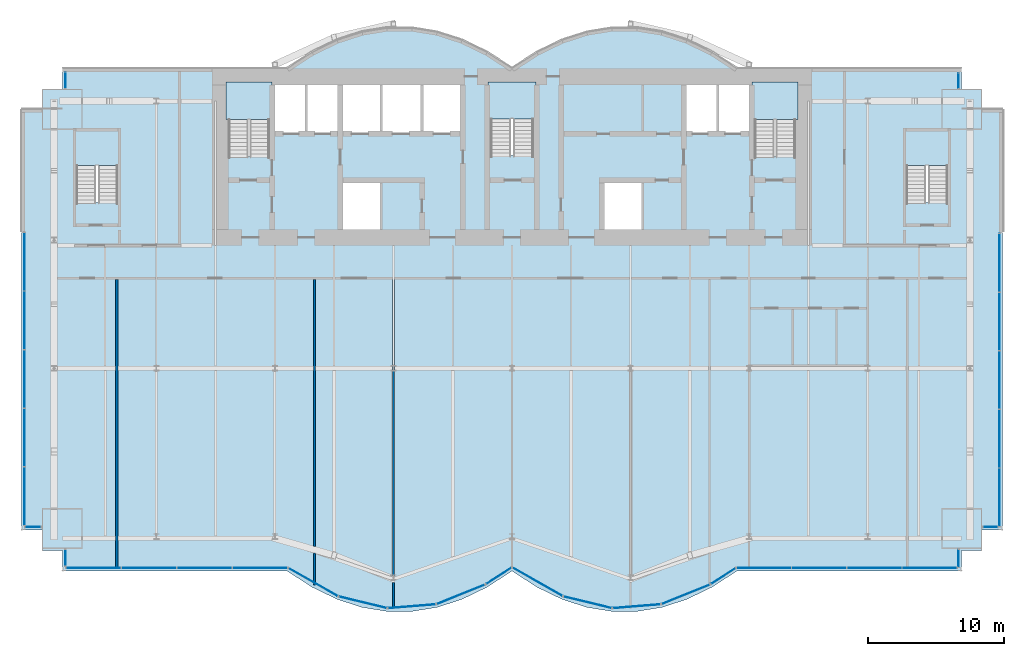
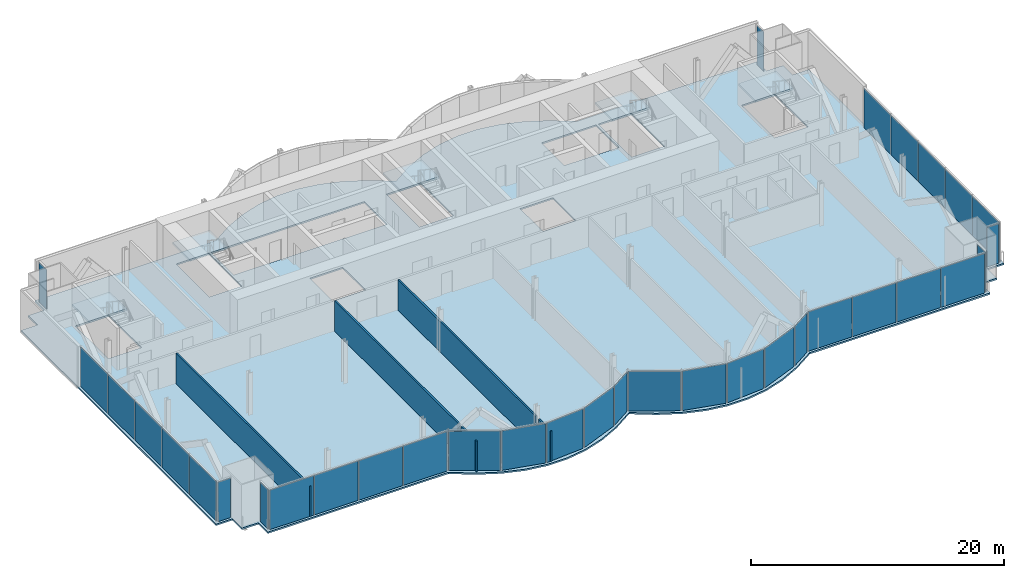
# One storey, part 14 of 21: 34 plates, 6 slabs, 5 walls, 17 elements without a shape of their own.
"""IFC4 building model written with IfcOpenShell, lengths in metres."""

import ifcopenshell
import ifcopenshell.guid

model = None  # the IFC model being written
_history = None  # IfcOwnerHistory: only IFC2X3 demands one
_inside = {}  # id of a spatial element -> (the spatial element, [elements in it])
_under = {}  # id of a project, library or spatial element -> (it, [spatial elements below it])
_declared = {}  # id of a project -> (the project, [libraries it declares])
_typed = {}  # id of a type object -> (the type object, [elements of that type])
_made_of = {}  # id of a material, layer set ... -> (it, [elements and type objects made of it])


def new_model(schema):
    """Start an empty IFC model of exactly this schema.

    Asked for "IFC4X3", IfcOpenShell would pick the latest addendum, in which some entities
    have other attributes; the version numbers below select the first issue.
    IFC2X3 requires an IfcOwnerHistory on every rooted entity: one is made here for all.
    """
    global model, _history
    if schema == "IFC4X3":
        model = ifcopenshell.file(schema_version=(4, 3, 0, 0))
    else:
        model = ifcopenshell.file(schema=schema)
    _inside.clear()
    _under.clear()
    _declared.clear()
    _typed.clear()
    _made_of.clear()
    _history = None
    if model.schema == "IFC2X3":
        org = make("IfcOrganization", Name="unknown")
        user = make(
            "IfcPersonAndOrganization",
            ThePerson=make("IfcPerson", FamilyName="unknown"),
            TheOrganization=org,
        )
        app = make(
            "IfcApplication",
            ApplicationDeveloper=org,
            Version="unknown",
            ApplicationFullName="unknown",
            ApplicationIdentifier="unknown",
        )
        _history = make(
            "IfcOwnerHistory",
            OwningUser=user,
            OwningApplication=app,
            ChangeAction="ADDED",
            CreationDate=0,
        )
    return model


def make(cls, **values):
    """One entity of the class cls with the attributes given. An attribute that is None is left unset."""
    return model.create_entity(
        cls, **{name: value for name, value in values.items() if value is not None}
    )


def rooted(cls, **values):
    """An entity with a GlobalId (a new one), such as an element, a storey or a relation."""
    return make(cls, GlobalId=ifcopenshell.guid.new(), OwnerHistory=_history, **values)


def si_unit(unit_type, name, prefix=None):
    """IfcSIUnit, for example si_unit("LENGTHUNIT", "METRE", prefix="MILLI")."""
    return make("IfcSIUnit", UnitType=unit_type, Prefix=prefix, Name=name)


def assignment(units):
    """IfcUnitAssignment: the units of a project."""
    return None if units is None else make("IfcUnitAssignment", Units=units)


def point(xyz):
    """IfcCartesianPoint."""
    return None if xyz is None else make("IfcCartesianPoint", Coordinates=xyz)


def direction(xyz):
    """IfcDirection."""
    return None if xyz is None else make("IfcDirection", DirectionRatios=xyz)


def frame(location, z_axis=None, x_axis=None):
    """IfcAxis2Placement3D, a coordinate frame: its origin and axes. An axis left out is left unset."""
    return make(
        "IfcAxis2Placement3D",
        Location=point(location),
        Axis=direction(z_axis),
        RefDirection=direction(x_axis),
    )


def frame_2d(location, x_axis=None):
    """IfcAxis2Placement2D, a coordinate frame in the plane: its origin and x axis."""
    return make(
        "IfcAxis2Placement2D", Location=point(location), RefDirection=direction(x_axis)
    )


def origin():
    """The frame at (0, 0, 0) with its axes left unset."""
    return frame((0.0, 0.0, 0.0))


def origin_2d():
    """The frame at (0, 0) in the plane with its x axis left unset."""
    return frame_2d((0.0, 0.0))


def place(relative_to, where):
    """IfcLocalPlacement: puts the frame where relative to a parent placement (None: the world)."""
    return make(
        "IfcLocalPlacement", PlacementRelTo=relative_to, RelativePlacement=where
    )


def context(
    kind, dimensions, precision=None, world=None, true_north=None, identifier=None
):
    """IfcGeometricRepresentationContext, for example the 3D "Model" context."""
    return make(
        "IfcGeometricRepresentationContext",
        ContextIdentifier=identifier,
        ContextType=kind,
        CoordinateSpaceDimension=dimensions,
        Precision=precision,
        WorldCoordinateSystem=world,
        TrueNorth=true_north,
    )


def subcontext(parent, identifier, kind, view, scale=None):
    """IfcGeometricRepresentationSubContext, for example "Body" below "Model"."""
    return make(
        "IfcGeometricRepresentationSubContext",
        ContextIdentifier=identifier,
        ContextType=kind,
        ParentContext=parent,
        TargetScale=scale,
        TargetView=view,
    )


def project(units=None, contexts=None):
    """IfcProject with its units and contexts."""
    return rooted(
        "IfcProject",
        Name="project",
        RepresentationContexts=contexts,
        UnitsInContext=assignment(units),
    )


def spatial(cls, under=None, at=None, **own):
    """A site, building, storey or space (cls), placed at a placement, below another one or the project."""
    s = rooted(cls, ObjectPlacement=at, **own)
    if under is not None:
        _under.setdefault(under.id(), (under, []))[1].append(s)
    return s


def polyline(points):
    """IfcPolyline through the points."""
    return make("IfcPolyline", Points=[point(p) for p in points])


def profile(cls, at=None, kind="AREA", **sizes):
    """A parametric profile (cls). Its sizes go by their IFC names, for example OverallWidth=200.0."""
    return make(cls, ProfileType=kind, Position=at, **sizes)


def rectangle(**sizes):
    """IfcRectangleProfileDef."""
    return profile("IfcRectangleProfileDef", **sizes)


def outline(outer, holes=None, kind="AREA"):
    """IfcArbitraryClosedProfileDef: a profile drawn as a closed curve; with holes, ...WithVoids."""
    if holes is None:
        return make("IfcArbitraryClosedProfileDef", ProfileType=kind, OuterCurve=outer)
    return make(
        "IfcArbitraryProfileDefWithVoids",
        ProfileType=kind,
        OuterCurve=outer,
        InnerCurves=holes,
    )


def extrude(swept, where, along, depth):
    """IfcExtrudedAreaSolid: the profile swept, set in the frame where, extruded along a direction by depth."""
    return make(
        "IfcExtrudedAreaSolid",
        SweptArea=swept,
        Position=where,
        ExtrudedDirection=direction(along),
        Depth=depth,
    )


def shape(context_of_items, identifier, shape_type, items):
    """IfcShapeRepresentation: the items that make up one representation, for example the "Body"."""
    return make(
        "IfcShapeRepresentation",
        ContextOfItems=context_of_items,
        RepresentationIdentifier=identifier,
        RepresentationType=shape_type,
        Items=items,
    )


def material(Name=None, Category=None):
    """IfcMaterial."""
    return make("IfcMaterial", Name=Name, Category=Category)


def layer(
    of_material, thickness, ventilated=None, Name=None, Category=None, Priority=None
):
    """IfcMaterialLayer: one layer of a wall or slab, of a material (None: an air gap)."""
    return make(
        "IfcMaterialLayer",
        Material=of_material,
        LayerThickness=thickness,
        IsVentilated=ventilated,
        Name=Name,
        Category=Category,
        Priority=Priority,
    )


def layer_set(layers, Name=None):
    """IfcMaterialLayerSet."""
    return make("IfcMaterialLayerSet", MaterialLayers=layers, LayerSetName=Name)


def made_of(thing, what):
    """Note that an element or type object is made of a material, layer set ...; save() writes the relation."""
    if what is not None:
        _made_of.setdefault(what.id(), (what, []))[1].append(thing)
    return thing


def type_object(cls, material=None, **own):
    """A type object (cls), such as IfcWallType, which elements share."""
    return made_of(rooted(cls, **own), material)


def element(
    cls,
    number,
    at=None,
    inside=None,
    cuts=None,
    type_object=None,
    material=None,
    context=None,
    identifier="Body",
    shape_type=None,
    held_by="IfcProductDefinitionShape",
    body=None,
    shapes=None,
    **own,
):
    """One element of the class cls, such as IfcWall. Its Tag is "e" and its number.

    at: its placement. inside: the storey or other place that contains it. cuts: it is an
    opening in that element (IfcRelVoidsElement). A single representation is given by context,
    identifier, shape_type and body (its items); several are given by shapes. held_by: the class
    of the entity that holds the representations. save() writes the other relations.
    """
    e = rooted(cls, Tag="e%d" % number, ObjectPlacement=at, **own)
    if body is not None:
        shapes = [shape(context, identifier, shape_type, body)]
    if shapes is not None:
        e.Representation = make(held_by, Representations=shapes)
    if inside is not None:
        _inside.setdefault(inside.id(), (inside, []))[1].append(e)
    if cuts is not None:
        rooted(
            "IfcRelVoidsElement", RelatingBuildingElement=cuts, RelatedOpeningElement=e
        )
    if type_object is not None:
        _typed.setdefault(type_object.id(), (type_object, []))[1].append(e)
    return made_of(e, material)


def aggregate(whole, parts):
    """IfcRelAggregates: a whole, such as a stair, and the parts it consists of."""
    return rooted("IfcRelAggregates", RelatingObject=whole, RelatedObjects=parts)


def save(model, path):
    """Write the relations noted so far, then the file.

    IfcRelAggregates (storeys below a building ...), IfcRelContainedInSpatialStructure (elements
    in a storey), IfcRelDefinesByType, IfcRelAssociatesMaterial and IfcRelDeclares: one each for
    every whole, place, type object, material and project.
    """
    for whole, parts in _under.values():
        aggregate(whole, parts)
    for where, things in _inside.values():
        rooted(
            "IfcRelContainedInSpatialStructure",
            RelatedElements=things,
            RelatingStructure=where,
        )
    for kind, things in _typed.values():
        rooted("IfcRelDefinesByType", RelatedObjects=things, RelatingType=kind)
    for what, things in _made_of.values():
        rooted("IfcRelAssociatesMaterial", RelatedObjects=things, RelatingMaterial=what)
    for by, libraries in _declared.values():
        rooted("IfcRelDeclares", RelatingContext=by, RelatedDefinitions=libraries)
    model.write(path)


model = new_model("IFC4")

# Units and contexts
model_context = context("Model", 3, precision=1e-05, world=origin(), true_north=direction((0.0, 1.0)))
body_context = subcontext(model_context, "Body", "Model", "MODEL_VIEW")
ifc_project = project(units=[si_unit("LENGTHUNIT", "METRE"), si_unit("AREAUNIT", "SQUARE_METRE"), si_unit("VOLUMEUNIT", "CUBIC_METRE"), si_unit("PLANEANGLEUNIT", "RADIAN"), si_unit("MASSUNIT", "GRAM", prefix="KILO")], contexts=[model_context])

# Site, building, storey
site_placement = place(None, origin())
site = spatial("IfcSite", under=ifc_project, at=site_placement, CompositionType="ELEMENT")
building_placement = place(site_placement, origin())
building = spatial("IfcBuilding", under=site, at=building_placement, Name="Bicima Exchange Tower", CompositionType="ELEMENT")
storey_placement = place(building_placement, frame((0.0, 0.0, 126.800048828125)))
storey = spatial("IfcBuildingStorey", under=building, at=storey_placement, Name="L27", CompositionType="ELEMENT", Elevation=126.800048828125)

# Slab
ifc_material_1 = material(Name="Concrete C40/50", Category="concrete")
ifc_layer_1 = layer(ifc_material_1, 0.14990234375)
ifc_layer_set_1 = layer_set([ifc_layer_1], Name="Concrete C40/50")
slab_type_1 = type_object("IfcSlabType", Name="Composite floor slab 150", PredefinedType="FLOOR", material=ifc_layer_set_1)
slab_1_placement = place(storey_placement, frame((0.0, 0.0, -0.150146484375)))
element("IfcSlab", 1, at=slab_1_placement, inside=storey, type_object=slab_type_1, Name="Floor slab", PredefinedType="FLOOR", context=body_context, shape_type="SweptSolid", body=[
    extrude(outline(polyline([(-36.0, -33.8759765625), (-36.0, -3.0), (-34.5, -3.0), (-34.5, -1.5), (-33.0, -1.5), (-33.0, 0.0), (-16.5, 0.0), (-14.666748046875, 1.185302734375), (-12.833251953125, 2.07421875), (-11.0, 2.666748046875), (-9.166748046875, 2.962890625), (-7.333251953125, 2.962890625), (-5.5, 2.666748046875), (-3.666748046875, 2.07421875), (-1.833251953125, 1.185302734375), (0.0, 0.0), (1.833251953125, 1.185302734375), (3.666748046875, 2.07421875), (5.5, 2.666748046875), (7.333251953125, 2.962890625), (9.166748046875, 2.962890625), (11.0, 2.666748046875), (12.833251953125, 2.07421875), (14.666748046875, 1.185302734375), (16.5, 0.0), (33.0, 0.0), (33.0, -1.5), (34.5, -1.5), (34.5, -3.0), (36.0, -3.0), (36.0, -33.8759765625), (34.5, -33.8759765625), (34.5, -35.3759765625), (33.0, -35.3759765625), (33.0, -36.8759765625), (16.5, -36.8759765625), (14.666748046875, -38.061279296875), (12.833251953125, -38.9501953125), (11.0, -39.542724609375), (9.166748046875, -39.839111328125), (7.333251953125, -39.839111328125), (5.5, -39.542724609375), (3.666748046875, -38.9501953125), (1.833251953125, -38.061279296875), (0.0, -36.8759765625), (-1.833251953125, -38.061279296875), (-3.666748046875, -38.9501953125), (-5.5, -39.542724609375), (-7.333251953125, -39.839111328125), (-9.166748046875, -39.839111328125), (-11.0, -39.542724609375), (-12.833251953125, -38.9501953125), (-14.666748046875, -38.061279296875), (-16.5, -36.8759765625), (-33.0, -36.8759765625), (-33.0, -35.3759765625), (-34.5, -35.3759765625), (-34.5, -33.8759765625), (-36.0, -33.8759765625)]), holes=[polyline([(-9.60009765625, -11.800048828125), (-9.60009765625, -8.199951171875), (-12.60009765625, -8.199951171875), (-12.60009765625, -11.800048828125), (-9.60009765625, -11.800048828125)]), polyline([(-31.97509765625, -9.824951171875), (-28.925048828125, -9.824951171875), (-28.925048828125, -4.625), (-31.97509765625, -4.625), (-31.97509765625, -9.824951171875)]), polyline([(-20.800048828125, -6.449951171875), (-17.800048828125, -6.449951171875), (-17.800048828125, -1.199951171875), (-20.800048828125, -1.199951171875), (-20.800048828125, -6.449951171875)]), polyline([(-9.60009765625, -1.199951171875), (-12.60009765625, -1.199951171875), (-15.10009765625, -1.199951171875), (-17.60009765625, -1.199951171875), (-17.60009765625, -4.800048828125), (-15.10009765625, -4.800048828125), (-12.60009765625, -4.800048828125), (-9.60009765625, -4.800048828125), (-6.60009765625, -4.800048828125), (-3.60009765625, -4.800048828125), (-3.60009765625, -1.199951171875), (-6.60009765625, -1.199951171875), (-9.60009765625, -1.199951171875)]), polyline([(9.60009765625, -11.800048828125), (9.60009765625, -8.199951171875), (6.60009765625, -8.199951171875), (6.60009765625, -11.800048828125), (9.60009765625, -11.800048828125)]), polyline([(28.925048828125, -9.824951171875), (31.97509765625, -9.824951171875), (31.97509765625, -4.625), (28.925048828125, -4.625), (28.925048828125, -9.824951171875)]), polyline([(17.800048828125, -6.449951171875), (20.800048828125, -6.449951171875), (20.800048828125, -1.199951171875), (17.800048828125, -1.199951171875), (17.800048828125, -6.449951171875)]), polyline([(-1.574951171875, -6.39990234375), (1.574951171875, -6.39990234375), (1.574951171875, -1.199951171875), (-1.574951171875, -1.199951171875), (-1.574951171875, -6.39990234375)]), polyline([(17.60009765625, -4.800048828125), (17.60009765625, -1.199951171875), (15.10009765625, -1.199951171875), (12.60009765625, -1.199951171875), (12.60009765625, -4.800048828125), (15.10009765625, -4.800048828125), (17.60009765625, -4.800048828125)])]), origin(), (0.0, 0.0, 1.0), 0.150146484375),
])

# Curtain wall, plates
ifc_material_2 = material(Name="Anodised bronze aluminium", Category="aluminium")
curtain_wall_type_1 = type_object("IfcCurtainWallType", Name="End face glass wall", PredefinedType="NOTDEFINED", material=ifc_material_2)
curtain_wall_1_placement = place(storey_placement, origin())
curtain_wall_1 = element("IfcCurtainWall", 2, at=curtain_wall_1_placement, inside=storey, type_object=curtain_wall_type_1, Name="End face glass wall L27 run 2", PredefinedType="NOTDEFINED")
ifc_material_3 = material(Name="Bronze tinted glass", Category="glass")
ifc_layer_2 = layer(ifc_material_3, 0.031982421875)
ifc_layer_set_2 = layer_set([ifc_layer_2], Name="Bronze tinted glass")
plate_type_1 = type_object("IfcPlateType", Name="End face glass wall glass panel 32", PredefinedType="CURTAIN_PANEL", material=ifc_layer_set_2)
plate_1_placement = place(storey_placement, frame((-35.77001953125, -14.1806640625, 0.0), z_axis=(0.0, 0.0, 1.0), x_axis=(0.0, -1.0, 0.0)))
plate_1 = element("IfcPlate", 3, at=plate_1_placement, type_object=plate_type_1, Name="End face glass wall panel 1.1", PredefinedType="CURTAIN_PANEL", context=body_context, shape_type="SweptSolid", body=[
    extrude(rectangle(XDim=4.2412109375, YDim=0.031982421875, at=origin_2d()), origin(), (0.0, 0.0, 1.0), 3.81005859375),
])
plate_2_placement = place(storey_placement, frame((-35.77001953125, -18.481689453125, 0.0), z_axis=(0.0, 0.0, 1.0), x_axis=(0.0, -1.0, 0.0)))
plate_2 = element("IfcPlate", 4, at=plate_2_placement, type_object=plate_type_1, Name="End face glass wall panel 2.1", PredefinedType="CURTAIN_PANEL", context=body_context, shape_type="SweptSolid", body=[
    extrude(rectangle(XDim=4.2412109375, YDim=0.031982421875, at=origin_2d()), origin(), (0.0, 0.0, 1.0), 3.81005859375),
])
plate_3_placement = place(storey_placement, frame((-35.77001953125, -22.782958984375, 0.0), z_axis=(0.0, 0.0, 1.0), x_axis=(0.0, -1.0, 0.0)))
plate_3 = element("IfcPlate", 5, at=plate_3_placement, type_object=plate_type_1, Name="End face glass wall panel 3.1", PredefinedType="CURTAIN_PANEL", context=body_context, shape_type="SweptSolid", body=[
    extrude(rectangle(XDim=4.2412109375, YDim=0.031982421875, at=origin_2d()), origin(), (0.0, 0.0, 1.0), 3.81005859375),
])
plate_4_placement = place(storey_placement, frame((-35.77001953125, -31.385498046875, 0.0), z_axis=(0.0, 0.0, 1.0), x_axis=(0.0, -1.0, 0.0)))
plate_4 = element("IfcPlate", 6, at=plate_4_placement, type_object=plate_type_1, Name="End face glass wall panel 5.1", PredefinedType="CURTAIN_PANEL", context=body_context, shape_type="SweptSolid", body=[
    extrude(rectangle(XDim=4.2412109375, YDim=0.031982421875, at=origin_2d()), origin(), (0.0, 0.0, 1.0), 3.81005859375),
])

curtain_wall_2_placement = place(storey_placement, origin())
curtain_wall_2 = element("IfcCurtainWall", 7, at=curtain_wall_2_placement, inside=storey, type_object=curtain_wall_type_1, Name="End face glass wall L27 run 19", PredefinedType="NOTDEFINED")
plate_5_placement = place(storey_placement, frame((35.77001953125, -31.46533203125, 0.0), z_axis=(0.0, 0.0, 1.0), x_axis=(0.0, 1.0, 0.0)))
plate_5 = element("IfcPlate", 8, at=plate_5_placement, type_object=plate_type_1, Name="End face glass wall panel 1.1", PredefinedType="CURTAIN_PANEL", context=body_context, shape_type="SweptSolid", body=[
    extrude(rectangle(XDim=4.2412109375, YDim=0.031982421875, at=origin_2d()), origin(), (0.0, 0.0, 1.0), 3.81005859375),
])
plate_6_placement = place(storey_placement, frame((35.77001953125, -22.863037109375, 0.0), z_axis=(0.0, 0.0, 1.0), x_axis=(0.0, 1.0, 0.0)))
plate_6 = element("IfcPlate", 9, at=plate_6_placement, type_object=plate_type_1, Name="End face glass wall panel 3.1", PredefinedType="CURTAIN_PANEL", context=body_context, shape_type="SweptSolid", body=[
    extrude(rectangle(XDim=4.2412109375, YDim=0.031982421875, at=origin_2d()), origin(), (0.0, 0.0, 1.0), 3.81005859375),
])
plate_7_placement = place(storey_placement, frame((35.77001953125, -18.561767578125, 0.0), z_axis=(0.0, 0.0, 1.0), x_axis=(0.0, 1.0, 0.0)))
plate_7 = element("IfcPlate", 10, at=plate_7_placement, type_object=plate_type_1, Name="End face glass wall panel 4.1", PredefinedType="CURTAIN_PANEL", context=body_context, shape_type="SweptSolid", body=[
    extrude(rectangle(XDim=4.2412109375, YDim=0.031982421875, at=origin_2d()), origin(), (0.0, 0.0, 1.0), 3.81005859375),
])
plate_8_placement = place(storey_placement, frame((35.77001953125, -14.260498046875, 0.0), z_axis=(0.0, 0.0, 1.0), x_axis=(0.0, 1.0, 0.0)))
plate_8 = element("IfcPlate", 11, at=plate_8_placement, type_object=plate_type_1, Name="End face glass wall panel 5.1", PredefinedType="CURTAIN_PANEL", context=body_context, shape_type="SweptSolid", body=[
    extrude(rectangle(XDim=4.2412109375, YDim=0.031982421875, at=origin_2d()), origin(), (0.0, 0.0, 1.0), 3.81005859375),
])

# Plate
ifc_material_4 = material(Name="Bronze anodised aluminium", Category="aluminium")
ifc_layer_3 = layer(ifc_material_4, 0.031982421875)
ifc_layer_set_3 = layer_set([ifc_layer_3], Name="Bronze anodised aluminium")
plate_type_2 = type_object("IfcPlateType", Name="End face glass wall spandrel panel 32", PredefinedType="CURTAIN_PANEL", material=ifc_layer_set_3)
plate_9_placement = place(storey_placement, frame((-35.77001953125, -27.084228515625, 0.0), z_axis=(0.0, 0.0, 1.0), x_axis=(0.0, -1.0, 0.0)))
plate_9 = element("IfcPlate", 12, at=plate_9_placement, type_object=plate_type_2, Name="End face spandrel wall panel 4.1", PredefinedType="CURTAIN_PANEL", context=body_context, shape_type="SweptSolid", body=[
    extrude(rectangle(XDim=4.2412109375, YDim=0.031982421875, at=origin_2d()), origin(), (0.0, 0.0, 1.0), 3.81005859375),
])

aggregate(curtain_wall_1, [plate_1, plate_2, plate_3, plate_9, plate_4])

plate_10_placement = place(storey_placement, frame((35.77001953125, -27.164306640625, 0.0), z_axis=(0.0, 0.0, 1.0), x_axis=(0.0, 1.0, 0.0)))
plate_10 = element("IfcPlate", 13, at=plate_10_placement, type_object=plate_type_2, Name="End face spandrel wall panel 2.1", PredefinedType="CURTAIN_PANEL", context=body_context, shape_type="SweptSolid", body=[
    extrude(rectangle(XDim=4.2412109375, YDim=0.031982421875, at=origin_2d()), origin(), (0.0, 0.0, 1.0), 3.81005859375),
])

aggregate(curtain_wall_2, [plate_5, plate_10, plate_6, plate_7, plate_8])

# Curtain wall, plate
curtain_wall_type_2 = type_object("IfcCurtainWallType", Name="Front glass wall", PredefinedType="NOTDEFINED", material=ifc_material_2)
curtain_wall_3_placement = place(storey_placement, origin())
curtain_wall_3 = element("IfcCurtainWall", 14, at=curtain_wall_3_placement, inside=storey, type_object=curtain_wall_type_2, Name="Front glass wall L27 run 1", PredefinedType="NOTDEFINED")
ifc_layer_4 = layer(ifc_material_3, 0.031982421875)
ifc_layer_set_4 = layer_set([ifc_layer_4], Name="Bronze tinted glass")
plate_type_3 = type_object("IfcPlateType", Name="Front glass wall glass panel 32", PredefinedType="CURTAIN_PANEL", material=ifc_layer_set_4)
plate_11_placement = place(storey_placement, frame((-32.77001953125, -0.864990234375, 0.0), z_axis=(0.0, 0.0, 1.0), x_axis=(0.0, -1.0, 0.0)))
plate_11 = element("IfcPlate", 15, at=plate_11_placement, type_object=plate_type_3, Name="Front glass wall panel 1.1", PredefinedType="CURTAIN_PANEL", context=body_context, shape_type="SweptSolid", body=[
    extrude(rectangle(XDim=1.14990234375, YDim=0.031982421875, at=origin_2d()), origin(), (0.0, 0.0, 1.0), 3.81005859375),
])
aggregate(curtain_wall_3, [plate_11])

curtain_wall_4_placement = place(storey_placement, origin())
curtain_wall_4 = element("IfcCurtainWall", 16, at=curtain_wall_4_placement, inside=storey, type_object=curtain_wall_type_2, Name="Front glass wall L27 run 3", PredefinedType="NOTDEFINED")
plate_12_placement = place(storey_placement, frame((-35.135009765625, -33.64599609375, 0.0), z_axis=(0.0, 0.0, 1.0), x_axis=(1.0, 0.0, 0.0)))
plate_12 = element("IfcPlate", 17, at=plate_12_placement, type_object=plate_type_3, Name="Front glass wall panel 1.1", PredefinedType="CURTAIN_PANEL", context=body_context, shape_type="SweptSolid", body=[
    extrude(rectangle(XDim=1.14990234375, YDim=0.031982421875, at=origin_2d()), origin(), (0.0, 0.0, 1.0), 3.81005859375),
])
aggregate(curtain_wall_4, [plate_12])

curtain_wall_5_placement = place(storey_placement, origin())
curtain_wall_5 = element("IfcCurtainWall", 18, at=curtain_wall_5_placement, inside=storey, type_object=curtain_wall_type_2, Name="Front glass wall L27 run 4", PredefinedType="NOTDEFINED")
plate_13_placement = place(storey_placement, frame((-32.77001953125, -35.909912109375, 0.0), z_axis=(0.0, 0.0, 1.0), x_axis=(0.0, -1.0, 0.0)))
plate_13 = element("IfcPlate", 19, at=plate_13_placement, type_object=plate_type_3, Name="Front glass wall panel 1.1", PredefinedType="CURTAIN_PANEL", context=body_context, shape_type="SweptSolid", body=[
    extrude(rectangle(XDim=1.19189453125, YDim=0.031982421875, at=origin_2d()), origin(), (0.0, 0.0, 1.0), 3.81005859375),
])
aggregate(curtain_wall_5, [plate_13])

# Curtain wall, plates
curtain_wall_6_placement = place(storey_placement, origin())
curtain_wall_6 = element("IfcCurtainWall", 20, at=curtain_wall_6_placement, inside=storey, type_object=curtain_wall_type_2, Name="Front glass wall L27 run 5", PredefinedType="NOTDEFINED")
plate_14_placement = place(storey_placement, frame((-30.705322265625, -36.64599609375, 0.0), z_axis=(0.0, 0.0, 1.0), x_axis=(1.0, 0.0, 0.0)))
plate_14 = element("IfcPlate", 21, at=plate_14_placement, type_object=plate_type_3, Name="Front glass wall panel 1.1", PredefinedType="CURTAIN_PANEL", context=body_context, shape_type="SweptSolid", body=[
    extrude(rectangle(XDim=4.009521484375, YDim=0.031982421875, at=origin_2d()), origin(), (0.0, 0.0, 1.0), 3.81005859375),
])
plate_15_placement = place(storey_placement, frame((-22.56640625, -36.64599609375, 0.0), z_axis=(0.0, 0.0, 1.0), x_axis=(1.0, 0.0, 0.0)))
plate_15 = element("IfcPlate", 22, at=plate_15_placement, type_object=plate_type_3, Name="Front glass wall panel 3.1", PredefinedType="CURTAIN_PANEL", context=body_context, shape_type="SweptSolid", body=[
    extrude(rectangle(XDim=4.009521484375, YDim=0.031982421875, at=origin_2d()), origin(), (0.0, 0.0, 1.0), 3.81005859375),
])
plate_16_placement = place(storey_placement, frame((-18.496826171875, -36.64599609375, 0.0), z_axis=(0.0, 0.0, 1.0), x_axis=(1.0, 0.0, 0.0)))
plate_16 = element("IfcPlate", 23, at=plate_16_placement, type_object=plate_type_3, Name="Front glass wall panel 4.1", PredefinedType="CURTAIN_PANEL", context=body_context, shape_type="SweptSolid", body=[
    extrude(rectangle(XDim=4.009521484375, YDim=0.031982421875, at=origin_2d()), origin(), (0.0, 0.0, 1.0), 3.81005859375),
])

curtain_wall_7_placement = place(storey_placement, origin())
curtain_wall_7 = element("IfcCurtainWall", 24, at=curtain_wall_7_placement, inside=storey, type_object=curtain_wall_type_2, Name="Front glass wall L27 run 6", PredefinedType="NOTDEFINED")
plate_17_placement = place(storey_placement, frame((-14.589599609375, -37.691162109375, 0.0), z_axis=(0.0, 0.0, 1.0), x_axis=(0.869805110681, -0.493395449343, 0.0)))
plate_17 = element("IfcPlate", 25, at=plate_17_placement, type_object=plate_type_3, Name="Front glass wall panel 1.1", PredefinedType="CURTAIN_PANEL", context=body_context, shape_type="SweptSolid", body=[
    extrude(rectangle(XDim=4.1162109375, YDim=0.031982421875, at=origin_2d()), origin(), (0.0, 0.0, 1.0), 3.81005859375),
])
plate_18_placement = place(storey_placement, frame((-10.94775390625, -39.172607421875, 0.0), z_axis=(0.0, 0.0, 1.0), x_axis=(0.971830343553, -0.235681529503, 0.0)))
plate_18 = element("IfcPlate", 26, at=plate_18_placement, type_object=plate_type_3, Name="Front glass wall panel 1.1", PredefinedType="CURTAIN_PANEL", context=body_context, shape_type="SweptSolid", body=[
    extrude(rectangle(XDim=3.583251953125, YDim=0.031982421875, at=origin_2d()), origin(), (0.0, 0.0, 1.0), 3.81005859375),
])
plate_19_placement = place(storey_placement, frame((-3.750244140625, -38.58935546875, 0.0), z_axis=(0.0, 0.0, 1.0), x_axis=(0.92714396679, 0.374705304, 0.0)))
plate_19 = element("IfcPlate", 27, at=plate_19_placement, type_object=plate_type_3, Name="Front glass wall panel 1.1", PredefinedType="CURTAIN_PANEL", context=body_context, shape_type="SweptSolid", body=[
    extrude(rectangle(XDim=3.771240234375, YDim=0.031982421875, at=origin_2d()), origin(), (0.0, 0.0, 1.0), 3.81005859375),
])
plate_20_placement = place(storey_placement, frame((-0.97314453125, -37.231201171875, 0.0), z_axis=(0.0, 0.0, 1.0), x_axis=(0.839798994301, 0.542897457326, 0.0)))
plate_20 = element("IfcPlate", 28, at=plate_20_placement, type_object=plate_type_3, Name="Front glass wall panel 1.1", PredefinedType="CURTAIN_PANEL", context=body_context, shape_type="SweptSolid", body=[
    extrude(rectangle(XDim=2.197509765625, YDim=0.031982421875, at=origin_2d()), origin(), (0.0, 0.0, 1.0), 3.81005859375),
])

curtain_wall_8_placement = place(storey_placement, origin())
curtain_wall_8 = element("IfcCurtainWall", 29, at=curtain_wall_8_placement, inside=storey, type_object=curtain_wall_type_2, Name="Front glass wall L27 run 11", PredefinedType="NOTDEFINED")
plate_21_placement = place(storey_placement, frame((1.876220703125, -37.669189453125, 0.0), z_axis=(0.0, 0.0, 1.0), x_axis=(0.869274147378, -0.494330311331, 0.0)))
plate_21 = element("IfcPlate", 30, at=plate_21_placement, type_object=plate_type_3, Name="Front glass wall panel 1.1", PredefinedType="CURTAIN_PANEL", context=body_context, shape_type="SweptSolid", body=[
    extrude(rectangle(XDim=4.197021484375, YDim=0.031982421875, at=origin_2d()), origin(), (0.0, 0.0, 1.0), 3.81005859375),
])
plate_22_placement = place(storey_placement, frame((12.749755859375, -38.58935546875, 0.0), z_axis=(0.0, 0.0, 1.0), x_axis=(0.92714396679, 0.374705304, 0.0)))
plate_22 = element("IfcPlate", 31, at=plate_22_placement, type_object=plate_type_3, Name="Front glass wall panel 1.1", PredefinedType="CURTAIN_PANEL", context=body_context, shape_type="SweptSolid", body=[
    extrude(rectangle(XDim=3.771240234375, YDim=0.031982421875, at=origin_2d()), origin(), (0.0, 0.0, 1.0), 3.81005859375),
])
plate_23_placement = place(storey_placement, frame((15.492919921875, -37.253173828125, 0.0), z_axis=(0.0, 0.0, 1.0), x_axis=(0.839791413941, 0.542909183079, 0.0)))
plate_23 = element("IfcPlate", 32, at=plate_23_placement, type_object=plate_type_3, Name="Front glass wall panel 1.1", PredefinedType="CURTAIN_PANEL", context=body_context, shape_type="SweptSolid", body=[
    extrude(rectangle(XDim=2.11669921875, YDim=0.031982421875, at=origin_2d()), origin(), (0.0, 0.0, 1.0), 3.81005859375),
])

curtain_wall_9_placement = place(storey_placement, origin())
curtain_wall_9 = element("IfcCurtainWall", 33, at=curtain_wall_9_placement, inside=storey, type_object=curtain_wall_type_2, Name="Front glass wall L27 run 16", PredefinedType="NOTDEFINED")
plate_24_placement = place(storey_placement, frame((18.48681640625, -36.64599609375, 0.0), z_axis=(0.0, 0.0, 1.0), x_axis=(1.0, 0.0, 0.0)))
plate_24 = element("IfcPlate", 34, at=plate_24_placement, type_object=plate_type_3, Name="Front glass wall panel 1.1", PredefinedType="CURTAIN_PANEL", context=body_context, shape_type="SweptSolid", body=[
    extrude(rectangle(XDim=3.989501953125, YDim=0.031982421875, at=origin_2d()), origin(), (0.0, 0.0, 1.0), 3.81005859375),
])
plate_25_placement = place(storey_placement, frame((22.536376953125, -36.64599609375, 0.0), z_axis=(0.0, 0.0, 1.0), x_axis=(1.0, 0.0, 0.0)))
plate_25 = element("IfcPlate", 35, at=plate_25_placement, type_object=plate_type_3, Name="Front glass wall panel 2.1", PredefinedType="CURTAIN_PANEL", context=body_context, shape_type="SweptSolid", body=[
    extrude(rectangle(XDim=3.989501953125, YDim=0.031982421875, at=origin_2d()), origin(), (0.0, 0.0, 1.0), 3.81005859375),
])
plate_26_placement = place(storey_placement, frame((30.63525390625, -36.64599609375, 0.0), z_axis=(0.0, 0.0, 1.0), x_axis=(1.0, 0.0, 0.0)))
plate_26 = element("IfcPlate", 36, at=plate_26_placement, type_object=plate_type_3, Name="Front glass wall panel 4.1", PredefinedType="CURTAIN_PANEL", context=body_context, shape_type="SweptSolid", body=[
    extrude(rectangle(XDim=3.989501953125, YDim=0.031982421875, at=origin_2d()), origin(), (0.0, 0.0, 1.0), 3.81005859375),
])

# Curtain wall, plate
curtain_wall_10_placement = place(storey_placement, origin())
curtain_wall_10 = element("IfcCurtainWall", 37, at=curtain_wall_10_placement, inside=storey, type_object=curtain_wall_type_2, Name="Front glass wall L27 run 17", PredefinedType="NOTDEFINED")
plate_27_placement = place(storey_placement, frame((32.77001953125, -35.949951171875, 0.0), z_axis=(0.0, 0.0, 1.0), x_axis=(0.0, 1.0, 0.0)))
plate_27 = element("IfcPlate", 38, at=plate_27_placement, type_object=plate_type_3, Name="Front glass wall panel 1.1", PredefinedType="CURTAIN_PANEL", context=body_context, shape_type="SweptSolid", body=[
    extrude(rectangle(XDim=1.27197265625, YDim=0.031982421875, at=origin_2d()), origin(), (0.0, 0.0, 1.0), 3.81005859375),
])
aggregate(curtain_wall_10, [plate_27])

curtain_wall_11_placement = place(storey_placement, origin())
curtain_wall_11 = element("IfcCurtainWall", 39, at=curtain_wall_11_placement, inside=storey, type_object=curtain_wall_type_2, Name="Front glass wall L27 run 18", PredefinedType="NOTDEFINED")
plate_28_placement = place(storey_placement, frame((35.094970703125, -33.64599609375, 0.0), z_axis=(0.0, 0.0, 1.0), x_axis=(1.0, 0.0, 0.0)))
plate_28 = element("IfcPlate", 40, at=plate_28_placement, type_object=plate_type_3, Name="Front glass wall panel 1.1", PredefinedType="CURTAIN_PANEL", context=body_context, shape_type="SweptSolid", body=[
    extrude(rectangle(XDim=1.070068359375, YDim=0.031982421875, at=origin_2d()), origin(), (0.0, 0.0, 1.0), 3.81005859375),
])
aggregate(curtain_wall_11, [plate_28])

curtain_wall_12_placement = place(storey_placement, origin())
curtain_wall_12 = element("IfcCurtainWall", 41, at=curtain_wall_12_placement, inside=storey, type_object=curtain_wall_type_2, Name="Front glass wall L27 run 20", PredefinedType="NOTDEFINED")
plate_29_placement = place(storey_placement, frame((32.77001953125, -0.905029296875, 0.0), z_axis=(0.0, 0.0, 1.0), x_axis=(0.0, 1.0, 0.0)))
plate_29 = element("IfcPlate", 42, at=plate_29_placement, type_object=plate_type_3, Name="Front glass wall panel 1.1", PredefinedType="CURTAIN_PANEL", context=body_context, shape_type="SweptSolid", body=[
    extrude(rectangle(XDim=1.070068359375, YDim=0.031982421875, at=origin_2d()), origin(), (0.0, 0.0, 1.0), 3.81005859375),
])
aggregate(curtain_wall_12, [plate_29])

# Plate
ifc_layer_5 = layer(ifc_material_4, 0.031982421875)
ifc_layer_set_5 = layer_set([ifc_layer_5], Name="Bronze anodised aluminium")
plate_type_4 = type_object("IfcPlateType", Name="Front glass wall spandrel panel 32", PredefinedType="CURTAIN_PANEL", material=ifc_layer_set_5)
plate_30_placement = place(storey_placement, frame((-26.6357421875, -36.64599609375, 0.0), z_axis=(0.0, 0.0, 1.0), x_axis=(1.0, 0.0, 0.0)))
plate_30 = element("IfcPlate", 43, at=plate_30_placement, type_object=plate_type_4, Name="Front spandrel wall panel 2.1", PredefinedType="CURTAIN_PANEL", context=body_context, shape_type="SweptSolid", body=[
    extrude(rectangle(XDim=4.009521484375, YDim=0.031982421875, at=origin_2d()), origin(), (0.0, 0.0, 1.0), 3.81005859375),
])

aggregate(curtain_wall_6, [plate_14, plate_30, plate_15, plate_16])

plate_31_placement = place(storey_placement, frame((-7.35107421875, -39.463623046875, 0.0), z_axis=(0.0, 0.0, 1.0), x_axis=(0.99674744821, 0.080588612633, 0.0)))
plate_31 = element("IfcPlate", 44, at=plate_31_placement, type_object=plate_type_4, Name="Front spandrel wall panel 1.1", PredefinedType="CURTAIN_PANEL", context=body_context, shape_type="SweptSolid", body=[
    extrude(rectangle(XDim=3.486083984375, YDim=0.031982421875, at=origin_2d()), origin(), (0.0, 0.0, 1.0), 3.81005859375),
])

aggregate(curtain_wall_7, [plate_17, plate_18, plate_31, plate_19, plate_20])

plate_32_placement = place(storey_placement, frame((5.55224609375, -39.172607421875, 0.0), z_axis=(0.0, 0.0, 1.0), x_axis=(0.971830343553, -0.235681529503, 0.0)))
plate_32 = element("IfcPlate", 45, at=plate_32_placement, type_object=plate_type_4, Name="Front spandrel wall panel 1.1", PredefinedType="CURTAIN_PANEL", context=body_context, shape_type="SweptSolid", body=[
    extrude(rectangle(XDim=3.583251953125, YDim=0.031982421875, at=origin_2d()), origin(), (0.0, 0.0, 1.0), 3.81005859375),
])

plate_33_placement = place(storey_placement, frame((9.14892578125, -39.463623046875, 0.0), z_axis=(0.0, 0.0, 1.0), x_axis=(0.99674744821, 0.080588612633, 0.0)))
plate_33 = element("IfcPlate", 46, at=plate_33_placement, type_object=plate_type_4, Name="Front spandrel wall panel 1.1", PredefinedType="CURTAIN_PANEL", context=body_context, shape_type="SweptSolid", body=[
    extrude(rectangle(XDim=3.486083984375, YDim=0.031982421875, at=origin_2d()), origin(), (0.0, 0.0, 1.0), 3.81005859375),
])

aggregate(curtain_wall_8, [plate_21, plate_32, plate_33, plate_22, plate_23])

plate_34_placement = place(storey_placement, frame((26.585693359375, -36.64599609375, 0.0), z_axis=(0.0, 0.0, 1.0), x_axis=(1.0, 0.0, 0.0)))
plate_34 = element("IfcPlate", 47, at=plate_34_placement, type_object=plate_type_4, Name="Front spandrel wall panel 3.1", PredefinedType="CURTAIN_PANEL", context=body_context, shape_type="SweptSolid", body=[
    extrude(rectangle(XDim=3.989501953125, YDim=0.031982421875, at=origin_2d()), origin(), (0.0, 0.0, 1.0), 3.81005859375),
])

aggregate(curtain_wall_9, [plate_24, plate_25, plate_34, plate_26])

# Stair, slab
ifc_material_5 = material(Name="Concrete C50/60", Category="concrete")
stair_type_1 = type_object("IfcStairType", Name="Exit stair", PredefinedType="HALF_TURN_STAIR", material=ifc_material_5)
stair_1_placement = place(storey_placement, origin())
stair_1 = element("IfcStair", 48, at=stair_1_placement, inside=storey, type_object=stair_type_1, Name="L27 West exit stair", PredefinedType="HALF_TURN_STAIR")
ifc_layer_6 = layer(ifc_material_5, 0.199951171875)
ifc_layer_set_6 = layer_set([ifc_layer_6], Name="Concrete C50/60")
slab_type_2 = type_object("IfcSlabType", Name="Stair landing slab", PredefinedType="LANDING", material=ifc_layer_set_6)
slab_2_placement = place(storey_placement, frame((0.0, 0.0, 1.849853515625)))
slab_2 = element("IfcSlab", 49, at=slab_2_placement, type_object=slab_type_2, Name="ST-W landing 1", PredefinedType="LANDING", context=body_context, shape_type="SweptSolid", body=[
    extrude(outline(polyline([(-17.60009765625, -3.75), (-17.60009765625, -1.0), (-21.0, -1.0), (-21.0, -3.75), (-17.60009765625, -3.75)])), origin(), (0.0, 0.0, 1.0), 0.2001953125),
])
aggregate(stair_1, [slab_2])

stair_type_2 = type_object("IfcStairType", Name="Exit stair 1500", PredefinedType="HALF_TURN_STAIR", material=ifc_material_5)
stair_2_placement = place(storey_placement, origin())
stair_2 = element("IfcStair", 50, at=stair_2_placement, inside=storey, type_object=stair_type_2, Name="L27 Central exit stair", PredefinedType="HALF_TURN_STAIR")
slab_3_placement = place(storey_placement, frame((0.0, 0.0, 1.849853515625)))
slab_3 = element("IfcSlab", 51, at=slab_3_placement, type_object=slab_type_2, Name="ST-C landing 1", PredefinedType="LANDING", context=body_context, shape_type="SweptSolid", body=[
    extrude(outline(polyline([(1.77490234375, -3.699951171875), (1.77490234375, -1.0), (-1.77490234375, -1.0), (-1.77490234375, -3.699951171875), (1.77490234375, -3.699951171875)])), origin(), (0.0, 0.0, 1.0), 0.2001953125),
])
aggregate(stair_2, [slab_3])

stair_3_placement = place(storey_placement, origin())
stair_3 = element("IfcStair", 52, at=stair_3_placement, inside=storey, type_object=stair_type_1, Name="L27 East exit stair", PredefinedType="HALF_TURN_STAIR")
slab_4_placement = place(storey_placement, frame((0.0, 0.0, 1.849853515625)))
slab_4 = element("IfcSlab", 53, at=slab_4_placement, type_object=slab_type_2, Name="ST-E landing 1", PredefinedType="LANDING", context=body_context, shape_type="SweptSolid", body=[
    extrude(outline(polyline([(21.0, -3.75), (21.0, -1.0), (17.60009765625, -1.0), (17.60009765625, -3.75), (21.0, -3.75)])), origin(), (0.0, 0.0, 1.0), 0.2001953125),
])
aggregate(stair_3, [slab_4])

stair_4_placement = place(storey_placement, origin())
stair_4 = element("IfcStair", 54, at=stair_4_placement, inside=storey, type_object=stair_type_1, Name="L27 West end exit stair", PredefinedType="HALF_TURN_STAIR")
slab_5_placement = place(storey_placement, frame((0.0, 0.0, 1.849853515625)))
slab_5 = element("IfcSlab", 55, at=slab_5_placement, type_object=slab_type_2, Name="ST-WW landing 1", PredefinedType="LANDING", context=body_context, shape_type="SweptSolid", body=[
    extrude(outline(polyline([(-28.72509765625, -7.125), (-28.72509765625, -4.425048828125), (-32.175048828125, -4.425048828125), (-32.175048828125, -7.125), (-28.72509765625, -7.125)])), origin(), (0.0, 0.0, 1.0), 0.2001953125),
])
aggregate(stair_4, [slab_5])

stair_5_placement = place(storey_placement, origin())
stair_5 = element("IfcStair", 56, at=stair_5_placement, inside=storey, type_object=stair_type_1, Name="L27 East end exit stair", PredefinedType="HALF_TURN_STAIR")
slab_6_placement = place(storey_placement, frame((0.0, 0.0, 1.849853515625)))
slab_6 = element("IfcSlab", 57, at=slab_6_placement, type_object=slab_type_2, Name="ST-EE landing 1", PredefinedType="LANDING", context=body_context, shape_type="SweptSolid", body=[
    extrude(outline(polyline([(32.175048828125, -7.125), (32.175048828125, -4.425048828125), (28.72509765625, -4.425048828125), (28.72509765625, -7.125), (32.175048828125, -7.125)])), origin(), (0.0, 0.0, 1.0), 0.2001953125),
])
aggregate(stair_5, [slab_6])

# Walls
ifc_material_6 = material(Name="Gypsum board partition")
ifc_layer_7 = layer(ifc_material_6, 0.14990234375)
ifc_layer_set_7 = layer_set([ifc_layer_7], Name="Gypsum board partition")
wall_type = type_object("IfcWallType", Name="Gypsum partition 150", PredefinedType="PARTITIONING", material=ifc_layer_set_7)
wall_1_placement = place(storey_placement, frame((-29.0, -36.669921875, 0.0), z_axis=(0.0, 0.0, 1.0), x_axis=(0.0, 1.0, 0.0)))
element("IfcWall", 58, at=wall_1_placement, inside=storey, type_object=wall_type, Name="partition wall 13", PredefinedType="PARTITIONING", context=body_context, shape_type="SweptSolid", body=[
    extrude(rectangle(XDim=21.169921875, YDim=0.14990234375, at=frame_2d((10.5849609375, 0.0))), origin(), (0.0, 0.0, 1.0), 2.939453125),
])
wall_2_placement = place(storey_placement, frame((-14.5, -37.909912109375, 0.0), z_axis=(0.0, 0.0, 1.0), x_axis=(0.0, 1.0, 0.0)))
element("IfcWall", 59, at=wall_2_placement, inside=storey, type_object=wall_type, Name="partition wall 16", PredefinedType="PARTITIONING", context=body_context, shape_type="SweptSolid", body=[
    extrude(rectangle(XDim=2.3623046875, YDim=0.14990234375, at=frame_2d((1.18115234375, 0.0))), origin(), (0.0, 0.0, 1.0), 2.939453125),
])
wall_3_placement = place(storey_placement, frame((-14.5, -35.072998046875, 0.0), z_axis=(0.0, 0.0, 1.0), x_axis=(0.0, 1.0, 0.0)))
element("IfcWall", 60, at=wall_3_placement, inside=storey, type_object=wall_type, Name="partition wall 17", PredefinedType="PARTITIONING", context=body_context, shape_type="SweptSolid", body=[
    extrude(rectangle(XDim=19.572998046875, YDim=0.14990234375, at=frame_2d((9.78662109375, 0.0))), origin(), (0.0, 0.0, 1.0), 2.939453125),
])
wall_4_placement = place(storey_placement, frame((-8.699951171875, -39.6298828125, 0.0), z_axis=(0.0, 0.0, 1.0), x_axis=(0.0, 1.0, 0.0)))
element("IfcWall", 61, at=wall_4_placement, inside=storey, type_object=wall_type, Name="partition wall 18", PredefinedType="PARTITIONING", context=body_context, shape_type="SweptSolid", body=[
    extrude(rectangle(XDim=1.9189453125, YDim=0.14990234375, at=frame_2d((0.95947265625, 0.0))), origin(), (0.0, 0.0, 1.0), 2.939453125),
])
wall_5_placement = place(storey_placement, frame((-8.699951171875, -37.22314453125, 0.0), z_axis=(0.0, 0.0, 1.0), x_axis=(0.0, 1.0, 0.0)))
element("IfcWall", 62, at=wall_5_placement, inside=storey, type_object=wall_type, Name="partition wall 19", PredefinedType="PARTITIONING", context=body_context, shape_type="SweptSolid", body=[
    extrude(rectangle(XDim=21.72314453125, YDim=0.14990234375, at=frame_2d((10.861572265625, 0.0))), origin(), (0.0, 0.0, 1.0), 2.939453125),
])

save(model, "model.ifc")
